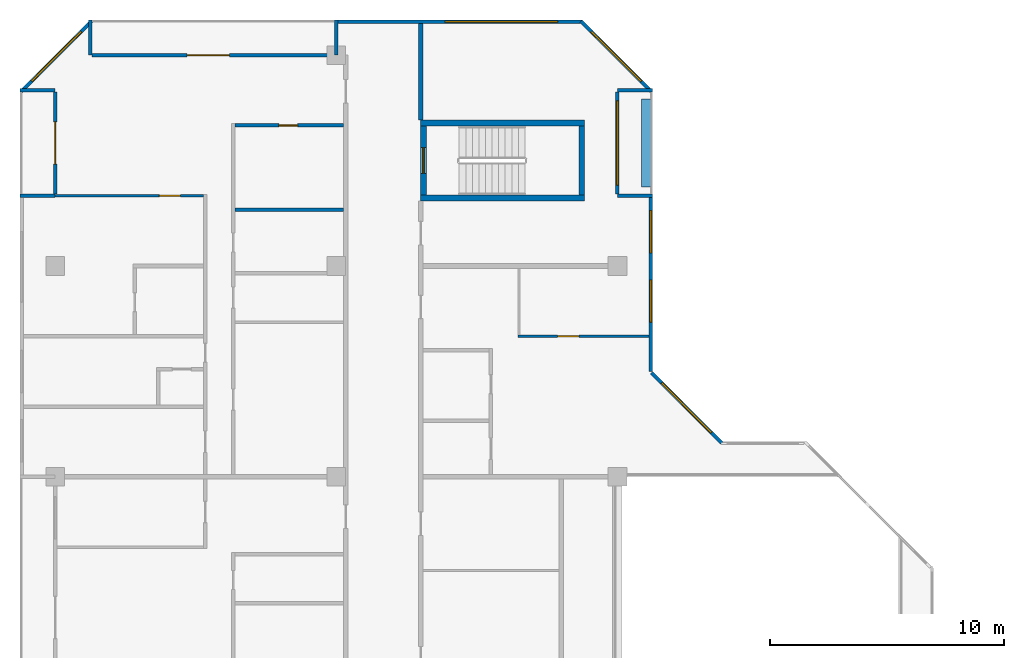
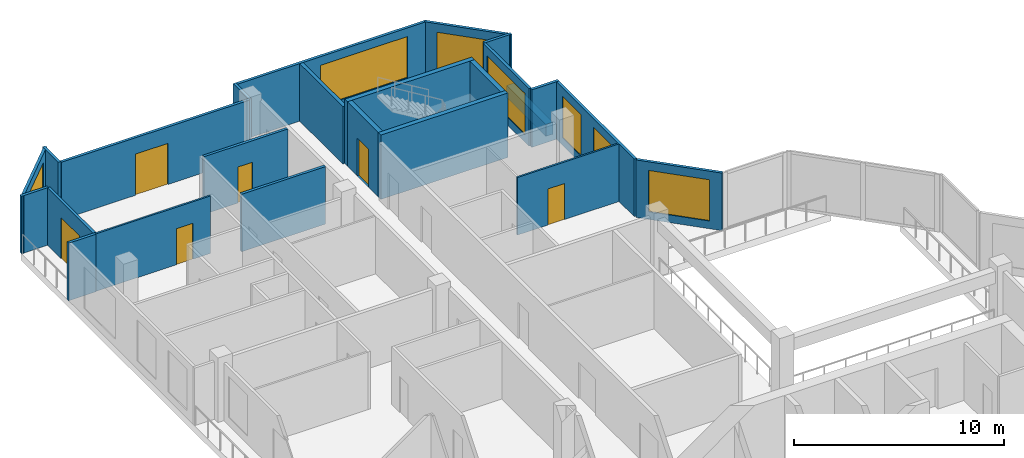
# One storey, part 10 of 13: 24 walls, 7 windows, 6 doors, 13 openings.
"""IFC4 building model written with IfcOpenShell, lengths in metres."""

import ifcopenshell
import ifcopenshell.guid

model = None  # the IFC model being written
_history = None  # IfcOwnerHistory: only IFC2X3 demands one
_inside = {}  # id of a spatial element -> (the spatial element, [elements in it])
_under = {}  # id of a project, library or spatial element -> (it, [spatial elements below it])
_declared = {}  # id of a project -> (the project, [libraries it declares])
_typed = {}  # id of a type object -> (the type object, [elements of that type])
_made_of = {}  # id of a material, layer set ... -> (it, [elements and type objects made of it])


def new_model(schema):
    """Start an empty IFC model of exactly this schema.

    Asked for "IFC4X3", IfcOpenShell would pick the latest addendum, in which some entities
    have other attributes; the version numbers below select the first issue.
    IFC2X3 requires an IfcOwnerHistory on every rooted entity: one is made here for all.
    """
    global model, _history
    if schema == "IFC4X3":
        model = ifcopenshell.file(schema_version=(4, 3, 0, 0))
    else:
        model = ifcopenshell.file(schema=schema)
    _inside.clear()
    _under.clear()
    _declared.clear()
    _typed.clear()
    _made_of.clear()
    _history = None
    if model.schema == "IFC2X3":
        org = make("IfcOrganization", Name="unknown")
        user = make(
            "IfcPersonAndOrganization",
            ThePerson=make("IfcPerson", FamilyName="unknown"),
            TheOrganization=org,
        )
        app = make(
            "IfcApplication",
            ApplicationDeveloper=org,
            Version="unknown",
            ApplicationFullName="unknown",
            ApplicationIdentifier="unknown",
        )
        _history = make(
            "IfcOwnerHistory",
            OwningUser=user,
            OwningApplication=app,
            ChangeAction="ADDED",
            CreationDate=0,
        )
    return model


def make(cls, **values):
    """One entity of the class cls with the attributes given. An attribute that is None is left unset."""
    return model.create_entity(
        cls, **{name: value for name, value in values.items() if value is not None}
    )


def rooted(cls, **values):
    """An entity with a GlobalId (a new one), such as an element, a storey or a relation."""
    return make(cls, GlobalId=ifcopenshell.guid.new(), OwnerHistory=_history, **values)


def si_unit(unit_type, name, prefix=None):
    """IfcSIUnit, for example si_unit("LENGTHUNIT", "METRE", prefix="MILLI")."""
    return make("IfcSIUnit", UnitType=unit_type, Prefix=prefix, Name=name)


def assignment(units):
    """IfcUnitAssignment: the units of a project."""
    return None if units is None else make("IfcUnitAssignment", Units=units)


def point(xyz):
    """IfcCartesianPoint."""
    return None if xyz is None else make("IfcCartesianPoint", Coordinates=xyz)


def direction(xyz):
    """IfcDirection."""
    return None if xyz is None else make("IfcDirection", DirectionRatios=xyz)


def frame(location, z_axis=None, x_axis=None):
    """IfcAxis2Placement3D, a coordinate frame: its origin and axes. An axis left out is left unset."""
    return make(
        "IfcAxis2Placement3D",
        Location=point(location),
        Axis=direction(z_axis),
        RefDirection=direction(x_axis),
    )


def frame_2d(location, x_axis=None):
    """IfcAxis2Placement2D, a coordinate frame in the plane: its origin and x axis."""
    return make(
        "IfcAxis2Placement2D", Location=point(location), RefDirection=direction(x_axis)
    )


def origin():
    """The frame at (0, 0, 0) with its axes left unset."""
    return frame((0.0, 0.0, 0.0))


def place(relative_to, where):
    """IfcLocalPlacement: puts the frame where relative to a parent placement (None: the world)."""
    return make(
        "IfcLocalPlacement", PlacementRelTo=relative_to, RelativePlacement=where
    )


def context(
    kind, dimensions, precision=None, world=None, true_north=None, identifier=None
):
    """IfcGeometricRepresentationContext, for example the 3D "Model" context."""
    return make(
        "IfcGeometricRepresentationContext",
        ContextIdentifier=identifier,
        ContextType=kind,
        CoordinateSpaceDimension=dimensions,
        Precision=precision,
        WorldCoordinateSystem=world,
        TrueNorth=true_north,
    )


def subcontext(parent, identifier, kind, view, scale=None):
    """IfcGeometricRepresentationSubContext, for example "Body" below "Model"."""
    return make(
        "IfcGeometricRepresentationSubContext",
        ContextIdentifier=identifier,
        ContextType=kind,
        ParentContext=parent,
        TargetScale=scale,
        TargetView=view,
    )


def project(units=None, contexts=None):
    """IfcProject with its units and contexts."""
    return rooted(
        "IfcProject",
        Name="project",
        RepresentationContexts=contexts,
        UnitsInContext=assignment(units),
    )


def spatial(cls, under=None, at=None, **own):
    """A site, building, storey or space (cls), placed at a placement, below another one or the project."""
    s = rooted(cls, ObjectPlacement=at, **own)
    if under is not None:
        _under.setdefault(under.id(), (under, []))[1].append(s)
    return s


def profile(cls, at=None, kind="AREA", **sizes):
    """A parametric profile (cls). Its sizes go by their IFC names, for example OverallWidth=200.0."""
    return make(cls, ProfileType=kind, Position=at, **sizes)


def rectangle(**sizes):
    """IfcRectangleProfileDef."""
    return profile("IfcRectangleProfileDef", **sizes)


def extrude(swept, where, along, depth):
    """IfcExtrudedAreaSolid: the profile swept, set in the frame where, extruded along a direction by depth."""
    return make(
        "IfcExtrudedAreaSolid",
        SweptArea=swept,
        Position=where,
        ExtrudedDirection=direction(along),
        Depth=depth,
    )


def shape(context_of_items, identifier, shape_type, items):
    """IfcShapeRepresentation: the items that make up one representation, for example the "Body"."""
    return make(
        "IfcShapeRepresentation",
        ContextOfItems=context_of_items,
        RepresentationIdentifier=identifier,
        RepresentationType=shape_type,
        Items=items,
    )


def material(Name=None, Category=None):
    """IfcMaterial."""
    return make("IfcMaterial", Name=Name, Category=Category)


def layer(
    of_material, thickness, ventilated=None, Name=None, Category=None, Priority=None
):
    """IfcMaterialLayer: one layer of a wall or slab, of a material (None: an air gap)."""
    return make(
        "IfcMaterialLayer",
        Material=of_material,
        LayerThickness=thickness,
        IsVentilated=ventilated,
        Name=Name,
        Category=Category,
        Priority=Priority,
    )


def layer_set(layers, Name=None):
    """IfcMaterialLayerSet."""
    return make("IfcMaterialLayerSet", MaterialLayers=layers, LayerSetName=Name)


def made_of(thing, what):
    """Note that an element or type object is made of a material, layer set ...; save() writes the relation."""
    if what is not None:
        _made_of.setdefault(what.id(), (what, []))[1].append(thing)
    return thing


def type_object(cls, material=None, **own):
    """A type object (cls), such as IfcWallType, which elements share."""
    return made_of(rooted(cls, **own), material)


def element(
    cls,
    number,
    at=None,
    inside=None,
    cuts=None,
    type_object=None,
    material=None,
    context=None,
    identifier="Body",
    shape_type=None,
    held_by="IfcProductDefinitionShape",
    body=None,
    shapes=None,
    **own,
):
    """One element of the class cls, such as IfcWall. Its Tag is "e" and its number.

    at: its placement. inside: the storey or other place that contains it. cuts: it is an
    opening in that element (IfcRelVoidsElement). A single representation is given by context,
    identifier, shape_type and body (its items); several are given by shapes. held_by: the class
    of the entity that holds the representations. save() writes the other relations.
    """
    e = rooted(cls, Tag="e%d" % number, ObjectPlacement=at, **own)
    if body is not None:
        shapes = [shape(context, identifier, shape_type, body)]
    if shapes is not None:
        e.Representation = make(held_by, Representations=shapes)
    if inside is not None:
        _inside.setdefault(inside.id(), (inside, []))[1].append(e)
    if cuts is not None:
        rooted(
            "IfcRelVoidsElement", RelatingBuildingElement=cuts, RelatedOpeningElement=e
        )
    if type_object is not None:
        _typed.setdefault(type_object.id(), (type_object, []))[1].append(e)
    return made_of(e, material)


def fill(opening, filler):
    """IfcRelFillsElement: the door or window that sits in an opening."""
    return rooted(
        "IfcRelFillsElement",
        RelatingOpeningElement=opening,
        RelatedBuildingElement=filler,
    )


def aggregate(whole, parts):
    """IfcRelAggregates: a whole, such as a stair, and the parts it consists of."""
    return rooted("IfcRelAggregates", RelatingObject=whole, RelatedObjects=parts)


def save(model, path):
    """Write the relations noted so far, then the file.

    IfcRelAggregates (storeys below a building ...), IfcRelContainedInSpatialStructure (elements
    in a storey), IfcRelDefinesByType, IfcRelAssociatesMaterial and IfcRelDeclares: one each for
    every whole, place, type object, material and project.
    """
    for whole, parts in _under.values():
        aggregate(whole, parts)
    for where, things in _inside.values():
        rooted(
            "IfcRelContainedInSpatialStructure",
            RelatedElements=things,
            RelatingStructure=where,
        )
    for kind, things in _typed.values():
        rooted("IfcRelDefinesByType", RelatedObjects=things, RelatingType=kind)
    for what, things in _made_of.values():
        rooted("IfcRelAssociatesMaterial", RelatedObjects=things, RelatingMaterial=what)
    for by, libraries in _declared.values():
        rooted("IfcRelDeclares", RelatingContext=by, RelatedDefinitions=libraries)
    model.write(path)


model = new_model("IFC4")

# Units and contexts
model_context = context("Model", 3, precision=1e-05, world=origin(), true_north=direction((0.0, 1.0)))
body_context = subcontext(model_context, "Body", "Model", "MODEL_VIEW")
ifc_project = project(units=[si_unit("LENGTHUNIT", "METRE"), si_unit("AREAUNIT", "SQUARE_METRE"), si_unit("VOLUMEUNIT", "CUBIC_METRE"), si_unit("PLANEANGLEUNIT", "RADIAN"), si_unit("MASSUNIT", "GRAM", prefix="KILO")], contexts=[model_context])

# Site, building, storey
site_placement = place(None, origin())
site = spatial("IfcSite", under=ifc_project, at=site_placement, CompositionType="ELEMENT")
building_placement = place(site_placement, origin())
building = spatial("IfcBuilding", under=site, at=building_placement, Name="Chenar Terraces", CompositionType="ELEMENT")
storey_placement = place(building_placement, frame((0.0, 0.0, 292.14990234375)))
storey = spatial("IfcBuildingStorey", under=building, at=storey_placement, Name="L68", CompositionType="ELEMENT", Elevation=292.14990234375)

# Walls
ifc_material_1 = material(Name="Concrete C50/60", Category="concrete")
ifc_layer_1 = layer(ifc_material_1, 0.25)
ifc_layer_set_1 = layer_set([ifc_layer_1], Name="Concrete C50/60")
wall_type_1 = type_object("IfcWallType", Name="Core wall 250 Concrete C50/60", PredefinedType="SHEAR", material=ifc_layer_set_1)
for number, where, z_axis, x_axis, name in (
    (1, (15.60009765625, 47.89990234375, 0.0), (0.0, 0.0, 1.0), (1.0, 0.0, 0.0), "Core wall ST4_S L68"),
    (2, (15.60009765625, 51.10009765625, 0.0), (0.0, 0.0, 1.0), (1.0, 0.0, 0.0), "Core wall ST4_N L68"),
):
    element("IfcWall", number, at=place(storey_placement, frame(where, z_axis=z_axis, x_axis=x_axis)), inside=storey, type_object=wall_type_1, Name=name, PredefinedType="SHEAR", context=body_context, shape_type="SweptSolid", body=[
        extrude(rectangle(XDim=7.0, YDim=0.25, at=frame_2d((3.5, 0.0))), origin(), (0.0, 0.0, 1.0), 3.75),
    ])

# Wall, opening, door
wall_1_placement = place(storey_placement, frame((15.72509765625, 48.02490234375, 0.0), z_axis=(0.0, 0.0, 1.0), x_axis=(0.0, 1.0, 0.0)))
wall_1 = element("IfcWall", 3, at=wall_1_placement, inside=storey, type_object=wall_type_1, Name="Core wall ST4_W L68", PredefinedType="SHEAR", context=body_context, shape_type="SweptSolid", body=[
    extrude(rectangle(XDim=2.9501953125, YDim=0.25, at=frame_2d((1.47509765625, 0.0))), origin(), (0.0, 0.0, 1.0), 3.75),
])
opening_1_placement = place(wall_1_placement, frame((0.925048828125, 0.0, 0.0)))
opening_1 = element("IfcOpeningElement", 4, at=opening_1_placement, cuts=wall_1, Name="Opening DL68-C9", PredefinedType="OPENING", context=body_context, shape_type="SweptSolid", body=[
    extrude(rectangle(XDim=1.10009765625, YDim=2.199951171875, at=frame_2d((0.550048828125, 1.10009765625))), frame((0.0, 0.135009765625, 0.0), z_axis=(0.0, -1.0, 0.0), x_axis=(1.0, 0.0, 0.0)), (0.0, 0.0, 1.0), 0.27001953125),
])
ifc_material_2 = material(Name="Steel-framed fire-resisting door leaf", Category="steel")
door_type_1 = type_object("IfcDoorType", Name="Stair fire door FD60 1100 x 2200", OperationType="SINGLE_SWING_LEFT", PredefinedType="DOOR", material=ifc_material_2)
door_1_placement = place(opening_1_placement, frame((1.10009765625, 0.0, 0.0), z_axis=(0.0, 0.0, 1.0), x_axis=(-1.0, 0.0, 0.0)))
door_1 = element("IfcDoor", 5, at=door_1_placement, inside=storey, type_object=door_type_1, Name="Stair door DL68-C9", OperationType="SINGLE_SWING_RIGHT", OverallHeight=2.199951171875, OverallWidth=1.10009765625, PredefinedType="DOOR", context=body_context, shape_type="SweptSolid", body=[
    extrude(rectangle(XDim=1.10009765625, YDim=2.199951171875, at=frame_2d((0.550048828125, 1.10009765625))), frame((0.0, 0.02490234375, 0.0), z_axis=(0.0, -1.0, 0.0), x_axis=(1.0, 0.0, 0.0)), (0.0, 0.0, 1.0), 0.050048828125),
])
fill(opening_1, door_1)

# Walls
wall_2_placement = place(storey_placement, frame((22.47509765625, 48.02490234375, 0.0), z_axis=(0.0, 0.0, 1.0), x_axis=(0.0, 1.0, 0.0)))
element("IfcWall", 6, at=wall_2_placement, inside=storey, type_object=wall_type_1, Name="Core wall ST4_E L68", PredefinedType="SHEAR", context=body_context, shape_type="SweptSolid", body=[
    extrude(rectangle(XDim=2.9501953125, YDim=0.25, at=frame_2d((1.47509765625, 0.0))), origin(), (0.0, 0.0, 1.0), 3.75),
])
ifc_material_3 = material(Name="Gypsum board on steel studs with fire boards", Category="steel")
ifc_layer_2 = layer(ifc_material_3, 0.199951171875)
ifc_layer_set_2 = layer_set([ifc_layer_2], Name="Gypsum board on steel studs with fire boards")
wall_type_2 = type_object("IfcWallType", Name="Corridor wall 200", PredefinedType="PARTITIONING", material=ifc_layer_set_2)
wall_3_placement = place(storey_placement, frame((15.60009765625, 51.22509765625, 0.0), z_axis=(0.0, 0.0, 1.0), x_axis=(0.0, 1.0, 0.0)))
element("IfcWall", 7, at=wall_3_placement, inside=storey, type_object=wall_type_2, Name="Partition L68-032", PredefinedType="PARTITIONING", context=body_context, shape_type="SweptSolid", body=[
    extrude(rectangle(XDim=4.125, YDim=0.199951171875, at=frame_2d((2.0625, 0.0))), origin(), (0.0, 0.0, 1.0), 3.35009765625),
])

# Wall, openings, windows
ifc_material_4 = material(Name="Aluminium framed glazing", Category="aluminium")
ifc_layer_3 = layer(ifc_material_4, 0.14990234375)
ifc_layer_set_3 = layer_set([ifc_layer_3], Name="Aluminium framed glazing")
wall_type_3 = type_object("IfcWallType", Name="Glazed flush facade wall 150", PredefinedType="SOLIDWALL", material=ifc_layer_set_3)
wall_4_placement = place(storey_placement, frame((25.425048828125, 40.5, 0.0), z_axis=(0.0, 0.0, 1.0), x_axis=(0.0, 1.0, 0.0)))
wall_4 = element("IfcWall", 8, at=wall_4_placement, inside=storey, type_object=wall_type_3, Name="Glazed flush facade wall", PredefinedType="SOLIDWALL", context=body_context, shape_type="SweptSolid", body=[
    extrude(rectangle(XDim=7.425048828125, YDim=0.14990234375, at=frame_2d((3.71240234375, 0.0))), origin(), (0.0, 0.0, 1.0), 3.35009765625),
])
opening_2_placement = place(wall_4_placement, frame((2.10009765625, 0.0, 0.449951171875)))
opening_2 = element("IfcOpeningElement", 9, at=opening_2_placement, cuts=wall_4, Name="Opening W180x240", PredefinedType="OPENING", context=body_context, shape_type="SweptSolid", body=[
    extrude(rectangle(XDim=1.800048828125, YDim=2.39990234375, at=frame_2d((0.89990234375, 1.199951171875))), frame((0.0, 0.0849609375, 0.0), z_axis=(0.0, -1.0, 0.0), x_axis=(1.0, 0.0, 0.0)), (0.0, 0.0, 1.0), 0.169921875),
])
opening_3_placement = place(wall_4_placement, frame((5.0625, 0.0, 0.449951171875)))
opening_3 = element("IfcOpeningElement", 10, at=opening_3_placement, cuts=wall_4, Name="Opening W180x240", PredefinedType="OPENING", context=body_context, shape_type="SweptSolid", body=[
    extrude(rectangle(XDim=1.800048828125, YDim=2.39990234375, at=frame_2d((0.89990234375, 1.199951171875))), frame((0.0, 0.0849609375, 0.0), z_axis=(0.0, -1.0, 0.0), x_axis=(1.0, 0.0, 0.0)), (0.0, 0.0, 1.0), 0.169921875),
])
ifc_material_5 = material(Name="Low emissivity double glazing, aluminium frame", Category="aluminium")
window_type_1 = type_object("IfcWindowType", Name="Fixed light 1800 x 2400", PartitioningType="SINGLE_PANEL", PredefinedType="WINDOW", material=ifc_material_5)
window_1_placement = place(opening_2_placement, origin())
window_1 = element("IfcWindow", 11, at=window_1_placement, inside=storey, type_object=window_type_1, Name="Window", OverallHeight=2.39990234375, OverallWidth=1.800048828125, PartitioningType="SINGLE_PANEL", PredefinedType="WINDOW", context=body_context, shape_type="SweptSolid", body=[
    extrude(rectangle(XDim=1.800048828125, YDim=2.39990234375, at=frame_2d((0.89990234375, 1.199951171875))), frame((0.0, 0.030029296875, 0.0), z_axis=(0.0, -1.0, 0.0), x_axis=(1.0, 0.0, 0.0)), (0.0, 0.0, 1.0), 0.06005859375),
])
fill(opening_2, window_1)
window_2_placement = place(opening_3_placement, origin())
window_2 = element("IfcWindow", 12, at=window_2_placement, inside=storey, type_object=window_type_1, Name="Window", OverallHeight=2.39990234375, OverallWidth=1.800048828125, PartitioningType="SINGLE_PANEL", PredefinedType="WINDOW", context=body_context, shape_type="SweptSolid", body=[
    extrude(rectangle(XDim=1.800048828125, YDim=2.39990234375, at=frame_2d((0.89990234375, 1.199951171875))), frame((0.0, 0.030029296875, 0.0), z_axis=(0.0, -1.0, 0.0), x_axis=(1.0, 0.0, 0.0)), (0.0, 0.0, 1.0), 0.06005859375),
])
fill(opening_3, window_2)

# Wall, opening, window
wall_5_placement = place(storey_placement, frame((22.5, 55.425048828125, 0.0), z_axis=(0.0, 0.0, 1.0), x_axis=(-1.0, 0.0, 0.0)))
wall_5 = element("IfcWall", 13, at=wall_5_placement, inside=storey, type_object=wall_type_3, Name="Glazed flush facade wall", PredefinedType="SOLIDWALL", context=body_context, shape_type="SweptSolid", body=[
    extrude(rectangle(XDim=10.425048828125, YDim=0.14990234375, at=frame_2d((5.21240234375, 0.0))), origin(), (0.0, 0.0, 1.0), 3.35009765625),
])
opening_4_placement = place(wall_5_placement, frame((1.050048828125, 0.0, 0.449951171875)))
opening_4 = element("IfcOpeningElement", 14, at=opening_4_placement, cuts=wall_5, Name="Opening W480x240", PredefinedType="OPENING", context=body_context, shape_type="SweptSolid", body=[
    extrude(rectangle(XDim=4.800048828125, YDim=2.39990234375, at=frame_2d((2.39990234375, 1.199951171875))), frame((0.0, 0.0849609375, 0.0), z_axis=(0.0, -1.0, 0.0), x_axis=(1.0, 0.0, 0.0)), (0.0, 0.0, 1.0), 0.169921875),
])
ifc_material_6 = material(Name="Low emissivity double glazing, aluminium frame", Category="aluminium")
window_type_2 = type_object("IfcWindowType", Name="Fixed light 4800 x 2400", PartitioningType="SINGLE_PANEL", PredefinedType="WINDOW", material=ifc_material_6)
window_3_placement = place(opening_4_placement, origin())
window_3 = element("IfcWindow", 15, at=window_3_placement, inside=storey, type_object=window_type_2, Name="Window", OverallHeight=2.39990234375, OverallWidth=4.800048828125, PartitioningType="SINGLE_PANEL", PredefinedType="WINDOW", context=body_context, shape_type="SweptSolid", body=[
    extrude(rectangle(XDim=4.800048828125, YDim=2.39990234375, at=frame_2d((2.39990234375, 1.199951171875))), frame((0.0, 0.030029296875, 0.0), z_axis=(0.0, -1.0, 0.0), x_axis=(1.0, 0.0, 0.0)), (0.0, 0.0, 1.0), 0.06005859375),
])
fill(opening_4, window_3)

ifc_material_7 = material(Name="Aluminium framed glazing", Category="aluminium")
ifc_layer_4 = layer(ifc_material_7, 0.14990234375)
ifc_layer_set_4 = layer_set([ifc_layer_4], Name="Aluminium framed glazing")
wall_type_4 = type_object("IfcWallType", Name="Glazed loggia back wall 150", PredefinedType="SOLIDWALL", material=ifc_layer_set_4)
wall_6_placement = place(storey_placement, frame((24.0, 48.074951171875, 0.0), z_axis=(0.0, 0.0, 1.0), x_axis=(0.0, 1.0, 0.0)))
wall_6 = element("IfcWall", 16, at=wall_6_placement, inside=storey, type_object=wall_type_4, Name="Glazed loggia back wall", PredefinedType="SOLIDWALL", context=body_context, shape_type="SweptSolid", body=[
    extrude(rectangle(XDim=4.35009765625, YDim=0.14990234375, at=frame_2d((2.175048828125, 0.0))), origin(), (0.0, 0.0, 1.0), 3.35009765625),
])
opening_5_placement = place(wall_6_placement, frame((0.375, 0.0, 0.449951171875)))
opening_5 = element("IfcOpeningElement", 17, at=opening_5_placement, cuts=wall_6, Name="Opening W360x240", PredefinedType="OPENING", context=body_context, shape_type="SweptSolid", body=[
    extrude(rectangle(XDim=3.60009765625, YDim=2.39990234375, at=frame_2d((1.800048828125, 1.199951171875))), frame((0.0, 0.0849609375, 0.0), z_axis=(0.0, -1.0, 0.0), x_axis=(1.0, 0.0, 0.0)), (0.0, 0.0, 1.0), 0.169921875),
])
ifc_material_8 = material(Name="Low emissivity double glazing, aluminium frame", Category="aluminium")
window_type_3 = type_object("IfcWindowType", Name="Fixed light 3600 x 2400", PartitioningType="SINGLE_PANEL", PredefinedType="WINDOW", material=ifc_material_8)
window_4_placement = place(opening_5_placement, origin())
window_4 = element("IfcWindow", 18, at=window_4_placement, inside=storey, type_object=window_type_3, Name="Window", OverallHeight=2.39990234375, OverallWidth=3.60009765625, PartitioningType="SINGLE_PANEL", PredefinedType="WINDOW", context=body_context, shape_type="SweptSolid", body=[
    extrude(rectangle(XDim=3.60009765625, YDim=2.39990234375, at=frame_2d((1.800048828125, 1.199951171875))), frame((0.0, 0.030029296875, 0.0), z_axis=(0.0, -1.0, 0.0), x_axis=(1.0, 0.0, 0.0)), (0.0, 0.0, 1.0), 0.06005859375),
])
fill(opening_5, window_4)

# Wall, opening, door
wall_7_placement = place(storey_placement, frame((11.925048828125, 54.0, 0.0), z_axis=(0.0, 0.0, 1.0), x_axis=(-1.0, 0.0, 0.0)))
wall_7 = element("IfcWall", 19, at=wall_7_placement, inside=storey, type_object=wall_type_4, Name="Glazed loggia back wall", PredefinedType="SOLIDWALL", context=body_context, shape_type="SweptSolid", body=[
    extrude(rectangle(XDim=10.35009765625, YDim=0.14990234375, at=frame_2d((5.175048828125, 0.0))), origin(), (0.0, 0.0, 1.0), 3.35009765625),
])
opening_6_placement = place(wall_7_placement, frame((4.487548828125, 0.0, 0.0)))
opening_6 = element("IfcOpeningElement", 20, at=opening_6_placement, cuts=wall_7, Name="Opening DL68-G2", PredefinedType="OPENING", context=body_context, shape_type="SweptSolid", body=[
    extrude(rectangle(XDim=1.800048828125, YDim=2.39990234375, at=frame_2d((0.89990234375, 1.199951171875))), frame((0.0, 0.0849609375, 0.0), z_axis=(0.0, -1.0, 0.0), x_axis=(1.0, 0.0, 0.0)), (0.0, 0.0, 1.0), 0.169921875),
])
ifc_material_9 = material(Name="Low emissivity double glazing, aluminium frame", Category="aluminium")
door_type_2 = type_object("IfcDoorType", Name="Loggia glazed double door 1800 x 2400", OperationType="DOUBLE_DOOR_SINGLE_SWING", PredefinedType="DOOR", material=ifc_material_9)
door_2_placement = place(opening_6_placement, frame((1.800048828125, 0.0, 0.0), z_axis=(0.0, 0.0, 1.0), x_axis=(-1.0, 0.0, 0.0)))
door_2 = element("IfcDoor", 21, at=door_2_placement, inside=storey, type_object=door_type_2, Name="Loggia glazed door", OperationType="DOUBLE_DOOR_SINGLE_SWING", OverallHeight=2.39990234375, OverallWidth=1.800048828125, PredefinedType="DOOR", context=body_context, shape_type="SweptSolid", body=[
    extrude(rectangle(XDim=1.800048828125, YDim=2.39990234375, at=frame_2d((0.89990234375, 1.199951171875))), frame((0.0, 0.02490234375, 0.0), z_axis=(0.0, -1.0, 0.0), x_axis=(1.0, 0.0, 0.0)), (0.0, 0.0, 1.0), 0.050048828125),
])
fill(opening_6, door_2)

wall_8_placement = place(storey_placement, frame((0.0, 52.425048828125, 0.0), z_axis=(0.0, 0.0, 1.0), x_axis=(0.0, -1.0, 0.0)))
wall_8 = element("IfcWall", 22, at=wall_8_placement, inside=storey, type_object=wall_type_4, Name="Glazed loggia back wall", PredefinedType="SOLIDWALL", context=body_context, shape_type="SweptSolid", body=[
    extrude(rectangle(XDim=4.35009765625, YDim=0.14990234375, at=frame_2d((2.175048828125, 0.0))), origin(), (0.0, 0.0, 1.0), 3.35009765625),
])
opening_7_placement = place(wall_8_placement, frame((1.27490234375, 0.0, 0.0)))
opening_7 = element("IfcOpeningElement", 23, at=opening_7_placement, cuts=wall_8, Name="Opening DL68-G3", PredefinedType="OPENING", context=body_context, shape_type="SweptSolid", body=[
    extrude(rectangle(XDim=1.800048828125, YDim=2.39990234375, at=frame_2d((0.89990234375, 1.199951171875))), frame((0.0, 0.0849609375, 0.0), z_axis=(0.0, -1.0, 0.0), x_axis=(1.0, 0.0, 0.0)), (0.0, 0.0, 1.0), 0.169921875),
])
door_3_placement = place(opening_7_placement, frame((1.800048828125, 0.0, 0.0), z_axis=(0.0, 0.0, 1.0), x_axis=(-1.0, 0.0, 0.0)))
door_3 = element("IfcDoor", 24, at=door_3_placement, inside=storey, type_object=door_type_2, Name="Loggia glazed door", OperationType="DOUBLE_DOOR_SINGLE_SWING", OverallHeight=2.39990234375, OverallWidth=1.800048828125, PredefinedType="DOOR", context=body_context, shape_type="SweptSolid", body=[
    extrude(rectangle(XDim=1.800048828125, YDim=2.39990234375, at=frame_2d((0.89990234375, 1.199951171875))), frame((0.0, 0.02490234375, 0.0), z_axis=(0.0, -1.0, 0.0), x_axis=(1.0, 0.0, 0.0)), (0.0, 0.0, 1.0), 0.050048828125),
])
fill(opening_7, door_3)

ifc_material_10 = material(Name="Gypsum board on steel studs", Category="steel")
ifc_layer_5 = layer(ifc_material_10, 0.10009765625)
ifc_layer_set_5 = layer_set([ifc_layer_5], Name="Gypsum board on steel studs")
wall_type_5 = type_object("IfcWallType", Name="Gypsum partition 100", PredefinedType="PARTITIONING", material=ifc_layer_set_5)
wall_9_placement = place(storey_placement, frame((0.0, 48.0, 0.0), z_axis=(0.0, 0.0, 1.0), x_axis=(1.0, 0.0, 0.0)))
wall_9 = element("IfcWall", 25, at=wall_9_placement, inside=storey, type_object=wall_type_5, Name="Partition L68-006", PredefinedType="PARTITIONING", context=body_context, shape_type="SweptSolid", body=[
    extrude(rectangle(XDim=6.324951171875, YDim=0.10009765625, at=frame_2d((3.16259765625, 0.0))), origin(), (0.0, 0.0, 1.0), 3.35009765625),
])
opening_8_placement = place(wall_9_placement, frame((4.449951171875, 0.0, 0.0)))
opening_8 = element("IfcOpeningElement", 26, at=opening_8_placement, cuts=wall_9, Name="Opening DL68-22", PredefinedType="OPENING", context=body_context, shape_type="SweptSolid", body=[
    extrude(rectangle(XDim=0.89990234375, YDim=2.10009765625, at=frame_2d((0.449951171875, 1.050048828125))), frame((0.0, 0.06005859375, 0.0), z_axis=(0.0, -1.0, 0.0), x_axis=(1.0, 0.0, 0.0)), (0.0, 0.0, 1.0), 0.1201171875),
])
ifc_material_11 = material(Name="Veneered timber door leaf", Category="wood")
door_type_3 = type_object("IfcDoorType", Name="Door 900 x 2100", OperationType="SINGLE_SWING_LEFT", PredefinedType="DOOR", material=ifc_material_11)
door_4_placement = place(opening_8_placement, frame((0.89990234375, 0.0, 0.0), z_axis=(0.0, 0.0, 1.0), x_axis=(-1.0, 0.0, 0.0)))
door_4 = element("IfcDoor", 27, at=door_4_placement, inside=storey, type_object=door_type_3, Name="Door DL68-22", OperationType="SINGLE_SWING_LEFT", OverallHeight=2.10009765625, OverallWidth=0.89990234375, PredefinedType="DOOR", context=body_context, shape_type="SweptSolid", body=[
    extrude(rectangle(XDim=0.89990234375, YDim=2.10009765625, at=frame_2d((0.449951171875, 1.050048828125))), frame((0.0, 0.02490234375, 0.0), z_axis=(0.0, -1.0, 0.0), x_axis=(1.0, 0.0, 0.0)), (0.0, 0.0, 1.0), 0.050048828125),
])
fill(opening_8, door_4)

wall_10_placement = place(storey_placement, frame((19.75, 42.0, 0.0), z_axis=(0.0, 0.0, 1.0), x_axis=(1.0, 0.0, 0.0)))
wall_10 = element("IfcWall", 28, at=wall_10_placement, inside=storey, type_object=wall_type_5, Name="Partition L68-040", PredefinedType="PARTITIONING", context=body_context, shape_type="SweptSolid", body=[
    extrude(rectangle(XDim=5.60009765625, YDim=0.10009765625, at=frame_2d((2.800048828125, 0.0))), origin(), (0.0, 0.0, 1.0), 3.35009765625),
])
opening_9_placement = place(wall_10_placement, frame((1.699951171875, 0.0, 0.0)))
opening_9 = element("IfcOpeningElement", 29, at=opening_9_placement, cuts=wall_10, Name="Opening DL68-17", PredefinedType="OPENING", context=body_context, shape_type="SweptSolid", body=[
    extrude(rectangle(XDim=0.89990234375, YDim=2.10009765625, at=frame_2d((0.449951171875, 1.050048828125))), frame((0.0, 0.06005859375, 0.0), z_axis=(0.0, -1.0, 0.0), x_axis=(1.0, 0.0, 0.0)), (0.0, 0.0, 1.0), 0.1201171875),
])
door_5_placement = place(opening_9_placement, origin())
door_5 = element("IfcDoor", 30, at=door_5_placement, inside=storey, type_object=door_type_3, Name="Door DL68-17", OperationType="SINGLE_SWING_LEFT", OverallHeight=2.10009765625, OverallWidth=0.89990234375, PredefinedType="DOOR", context=body_context, shape_type="SweptSolid", body=[
    extrude(rectangle(XDim=0.89990234375, YDim=2.10009765625, at=frame_2d((0.449951171875, 1.050048828125))), frame((0.0, 0.02490234375, 0.0), z_axis=(0.0, -1.0, 0.0), x_axis=(1.0, 0.0, 0.0)), (0.0, 0.0, 1.0), 0.050048828125),
])
fill(opening_9, door_5)

# Walls
ifc_material_12 = material(Name="Terracotta cladding on insulated backing", Category="masonry")
ifc_layer_6 = layer(ifc_material_12, 0.14990234375)
ifc_layer_set_6 = layer_set([ifc_layer_6], Name="Terracotta cladding on insulated backing")
wall_type_6 = type_object("IfcWallType", Name="Loggia return wall 150", PredefinedType="SOLIDWALL", material=ifc_layer_set_6)
for number, where, z_axis, x_axis, name in (
    (31, (25.5, 48.0, 0.0), (0.0, 0.0, 1.0), (-1.0, 0.0, 0.0), "Loggia return wall"),
    (32, (25.5, 52.5, 0.0), (0.0, 0.0, 1.0), (-1.0, 0.0, 0.0), "Loggia return wall"),
    (33, (12.0, 55.5, 0.0), (0.0, 0.0, 1.0), (0.0, -1.0, 0.0), "Loggia return wall"),
    (34, (1.5, 55.5, 0.0), (0.0, 0.0, 1.0), (0.0, -1.0, 0.0), "Loggia return wall"),
    (35, (-1.5, 52.5, 0.0), (0.0, 0.0, 1.0), (1.0, 0.0, 0.0), "Loggia return wall"),
    (36, (-1.5, 48.0, 0.0), (0.0, 0.0, 1.0), (1.0, 0.0, 0.0), "Loggia return wall"),
):
    element("IfcWall", number, at=place(storey_placement, frame(where, z_axis=z_axis, x_axis=x_axis)), inside=storey, type_object=wall_type_6, Name=name, PredefinedType="SOLIDWALL", context=body_context, shape_type="SweptSolid", body=[
        extrude(rectangle(XDim=1.5, YDim=0.14990234375, at=frame_2d((0.75, 0.0))), origin(), (0.0, 0.0, 1.0), 3.35009765625),
    ])

# Wall, opening, window
ifc_material_13 = material(Name="Terracotta cladding on insulated backing", Category="masonry")
ifc_layer_7 = layer(ifc_material_13, 0.14990234375)
ifc_layer_set_7 = layer_set([ifc_layer_7], Name="Terracotta cladding on insulated backing")
wall_type_7 = type_object("IfcWallType", Name="Terracotta rainscreen wall 150", PredefinedType="SOLIDWALL", material=ifc_layer_set_7)
wall_11_placement = place(storey_placement, frame((28.447021484375, 37.447021484375, 0.0), z_axis=(0.0, 0.0, 1.0), x_axis=(-0.707106781187, 0.707106781187, 0.0)))
wall_11 = element("IfcWall", 37, at=wall_11_placement, inside=storey, type_object=wall_type_7, Name="Terracotta rainscreen wall", PredefinedType="SOLIDWALL", context=body_context, shape_type="SweptSolid", body=[
    extrude(rectangle(XDim=4.24267578125, YDim=0.14990234375, at=frame_2d((2.121337890625, 0.0))), origin(), (0.0, 0.0, 1.0), 3.35009765625),
])
opening_10_placement = place(wall_11_placement, frame((0.621337890625, 0.0, 0.449951171875)))
opening_10 = element("IfcOpeningElement", 38, at=opening_10_placement, cuts=wall_11, Name="Opening W300x240", PredefinedType="OPENING", context=body_context, shape_type="SweptSolid", body=[
    extrude(rectangle(XDim=3.0, YDim=2.39990234375, at=frame_2d((1.5, 1.199951171875))), frame((0.0, 0.0849609375, 0.0), z_axis=(0.0, -1.0, 0.0), x_axis=(1.0, 0.0, 0.0)), (0.0, 0.0, 1.0), 0.169921875),
])
ifc_material_14 = material(Name="Low emissivity double glazing, aluminium frame", Category="aluminium")
window_type_4 = type_object("IfcWindowType", Name="Fixed light 3000 x 2400", PartitioningType="SINGLE_PANEL", PredefinedType="WINDOW", material=ifc_material_14)
window_5_placement = place(opening_10_placement, origin())
window_5 = element("IfcWindow", 39, at=window_5_placement, inside=storey, type_object=window_type_4, Name="Window", OverallHeight=2.39990234375, OverallWidth=3.0, PartitioningType="SINGLE_PANEL", PredefinedType="WINDOW", context=body_context, shape_type="SweptSolid", body=[
    extrude(rectangle(XDim=3.0, YDim=2.39990234375, at=frame_2d((1.5, 1.199951171875))), frame((0.0, 0.030029296875, 0.0), z_axis=(0.0, -1.0, 0.0), x_axis=(1.0, 0.0, 0.0)), (0.0, 0.0, 1.0), 0.06005859375),
])
fill(opening_10, window_5)

wall_12_placement = place(storey_placement, frame((25.447021484375, 52.447021484375, 0.0), z_axis=(0.0, 0.0, 1.0), x_axis=(-0.707106781187, 0.707106781187, 0.0)))
wall_12 = element("IfcWall", 40, at=wall_12_placement, inside=storey, type_object=wall_type_7, Name="Terracotta rainscreen wall", PredefinedType="SOLIDWALL", context=body_context, shape_type="SweptSolid", body=[
    extrude(rectangle(XDim=4.24267578125, YDim=0.14990234375, at=frame_2d((2.121337890625, 0.0))), origin(), (0.0, 0.0, 1.0), 3.35009765625),
])
opening_11_placement = place(wall_12_placement, frame((0.621337890625, 0.0, 0.449951171875)))
opening_11 = element("IfcOpeningElement", 41, at=opening_11_placement, cuts=wall_12, Name="Opening W300x240", PredefinedType="OPENING", context=body_context, shape_type="SweptSolid", body=[
    extrude(rectangle(XDim=3.0, YDim=2.39990234375, at=frame_2d((1.5, 1.199951171875))), frame((0.0, 0.0849609375, 0.0), z_axis=(0.0, -1.0, 0.0), x_axis=(1.0, 0.0, 0.0)), (0.0, 0.0, 1.0), 0.169921875),
])
window_6_placement = place(opening_11_placement, origin())
window_6 = element("IfcWindow", 42, at=window_6_placement, inside=storey, type_object=window_type_4, Name="Window", OverallHeight=2.39990234375, OverallWidth=3.0, PartitioningType="SINGLE_PANEL", PredefinedType="WINDOW", context=body_context, shape_type="SweptSolid", body=[
    extrude(rectangle(XDim=3.0, YDim=2.39990234375, at=frame_2d((1.5, 1.199951171875))), frame((0.0, 0.030029296875, 0.0), z_axis=(0.0, -1.0, 0.0), x_axis=(1.0, 0.0, 0.0)), (0.0, 0.0, 1.0), 0.06005859375),
])
fill(opening_11, window_6)

wall_13_placement = place(storey_placement, frame((1.552978515625, 55.447021484375, 0.0), z_axis=(0.0, 0.0, 1.0), x_axis=(-0.707106781187, -0.707106781187, 0.0)))
wall_13 = element("IfcWall", 43, at=wall_13_placement, inside=storey, type_object=wall_type_7, Name="Terracotta rainscreen wall", PredefinedType="SOLIDWALL", context=body_context, shape_type="SweptSolid", body=[
    extrude(rectangle(XDim=4.24267578125, YDim=0.14990234375, at=frame_2d((2.121337890625, 0.0))), origin(), (0.0, 0.0, 1.0), 3.35009765625),
])
opening_12_placement = place(wall_13_placement, frame((0.621337890625, 0.0, 0.449951171875)))
opening_12 = element("IfcOpeningElement", 44, at=opening_12_placement, cuts=wall_13, Name="Opening W300x240", PredefinedType="OPENING", context=body_context, shape_type="SweptSolid", body=[
    extrude(rectangle(XDim=3.0, YDim=2.39990234375, at=frame_2d((1.5, 1.199951171875))), frame((0.0, 0.0849609375, 0.0), z_axis=(0.0, -1.0, 0.0), x_axis=(1.0, 0.0, 0.0)), (0.0, 0.0, 1.0), 0.169921875),
])
window_7_placement = place(opening_12_placement, origin())
window_7 = element("IfcWindow", 45, at=window_7_placement, inside=storey, type_object=window_type_4, Name="Window", OverallHeight=2.39990234375, OverallWidth=3.0, PartitioningType="SINGLE_PANEL", PredefinedType="WINDOW", context=body_context, shape_type="SweptSolid", body=[
    extrude(rectangle(XDim=3.0, YDim=2.39990234375, at=frame_2d((1.5, 1.199951171875))), frame((0.0, 0.030029296875, 0.0), z_axis=(0.0, -1.0, 0.0), x_axis=(1.0, 0.0, 0.0)), (0.0, 0.0, 1.0), 0.06005859375),
])
fill(opening_12, window_7)

# Walls
ifc_material_15 = material(Name="GRP planter trough")
ifc_layer_8 = layer(ifc_material_15, 0.39990234375)
ifc_layer_set_8 = layer_set([ifc_layer_8], Name="GRP planter trough")
wall_type_8 = type_object("IfcWallType", Name="Vertical greenery planter 400", PredefinedType="SOLIDWALL", material=ifc_layer_set_8)
wall_14_placement = place(storey_placement, frame((25.22900390625, 48.375, 0.0), z_axis=(0.0, 0.0, 1.0), x_axis=(0.0, 1.0, 0.0)))
element("IfcWall", 46, at=wall_14_placement, inside=storey, type_object=wall_type_8, Name="Vertical greenery planter", PredefinedType="SOLIDWALL", context=body_context, shape_type="SweptSolid", body=[
    extrude(rectangle(XDim=3.75, YDim=0.39990234375, at=frame_2d((1.875, 0.0))), origin(), (0.0, 0.0, 1.0), 0.7001953125),
])
ifc_material_16 = material(Name="Moisture-resistant gypsum board on steel studs", Category="steel")
ifc_layer_9 = layer(ifc_material_16, 0.14990234375)
ifc_layer_set_9 = layer_set([ifc_layer_9], Name="Moisture-resistant gypsum board on steel studs")
wall_type_9 = type_object("IfcWallType", Name="Wet-room partition 150", PredefinedType="PARTITIONING", material=ifc_layer_set_9)
wall_15_placement = place(storey_placement, frame((7.675048828125, 47.39990234375, 0.0), z_axis=(0.0, 0.0, 1.0), x_axis=(1.0, 0.0, 0.0)))
element("IfcWall", 47, at=wall_15_placement, inside=storey, type_object=wall_type_9, Name="Partition L68-023", PredefinedType="PARTITIONING", context=body_context, shape_type="SweptSolid", body=[
    extrude(rectangle(XDim=4.625, YDim=0.14990234375, at=frame_2d((2.3125, 0.0))), origin(), (0.0, 0.0, 1.0), 3.35009765625),
])

# Wall, opening, door
wall_16_placement = place(storey_placement, frame((7.675048828125, 51.0, 0.0), z_axis=(0.0, 0.0, 1.0), x_axis=(1.0, 0.0, 0.0)))
wall_16 = element("IfcWall", 48, at=wall_16_placement, inside=storey, type_object=wall_type_9, Name="Partition L68-024", PredefinedType="PARTITIONING", context=body_context, shape_type="SweptSolid", body=[
    extrude(rectangle(XDim=4.625, YDim=0.14990234375, at=frame_2d((2.3125, 0.0))), origin(), (0.0, 0.0, 1.0), 3.35009765625),
])
opening_13_placement = place(wall_16_placement, frame((1.875, 0.0, 0.0)))
opening_13 = element("IfcOpeningElement", 49, at=opening_13_placement, cuts=wall_16, Name="Opening DL68-25", PredefinedType="OPENING", context=body_context, shape_type="SweptSolid", body=[
    extrude(rectangle(XDim=0.800048828125, YDim=2.10009765625, at=frame_2d((0.39990234375, 1.050048828125))), frame((0.0, 0.0849609375, 0.0), z_axis=(0.0, -1.0, 0.0), x_axis=(1.0, 0.0, 0.0)), (0.0, 0.0, 1.0), 0.169921875),
])
ifc_material_17 = material(Name="Veneered timber door leaf", Category="wood")
door_type_4 = type_object("IfcDoorType", Name="Door 800 x 2100", OperationType="SINGLE_SWING_LEFT", PredefinedType="DOOR", material=ifc_material_17)
door_6_placement = place(opening_13_placement, frame((0.800048828125, 0.0, 0.0), z_axis=(0.0, 0.0, 1.0), x_axis=(-1.0, 0.0, 0.0)))
door_6 = element("IfcDoor", 50, at=door_6_placement, inside=storey, type_object=door_type_4, Name="Door DL68-25", OperationType="SINGLE_SWING_RIGHT", OverallHeight=2.10009765625, OverallWidth=0.800048828125, PredefinedType="DOOR", context=body_context, shape_type="SweptSolid", body=[
    extrude(rectangle(XDim=0.800048828125, YDim=2.10009765625, at=frame_2d((0.39990234375, 1.050048828125))), frame((0.0, 0.02490234375, 0.0), z_axis=(0.0, -1.0, 0.0), x_axis=(1.0, 0.0, 0.0)), (0.0, 0.0, 1.0), 0.050048828125),
])
fill(opening_13, door_6)

save(model, "model.ifc")
